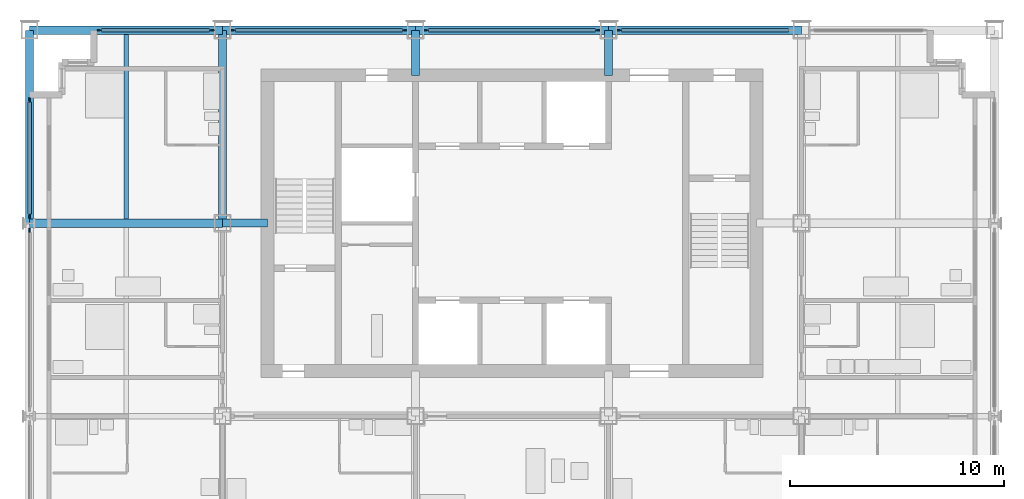
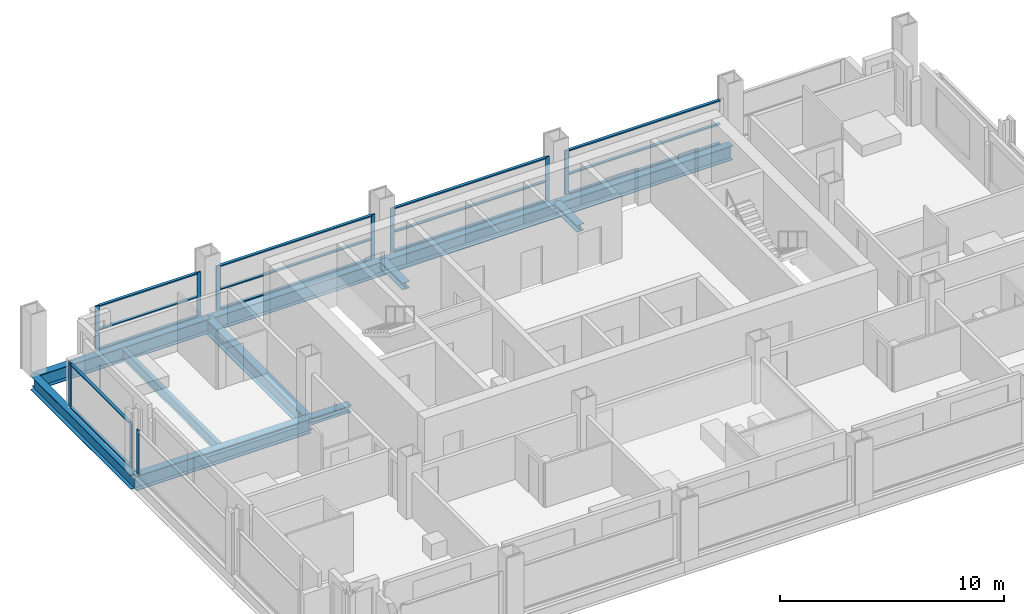
# One storey, part 4 of 13: 27 members, 8 beams, 6 elements without a shape of their own.
"""IFC4 building model written with IfcOpenShell, lengths in metres."""

from ifc_helpers import new_model, si_unit, direction, frame, origin, origin_2d, place, context, subcontext, project, spatial, rectangle, i_section, extrude, material, material_profile, profile_set, type_object, element, aggregate, save


model = new_model("IFC4")

# Units and contexts
model_context = context("Model", 3, precision=1e-05, world=origin(), true_north=direction((0.0, 1.0)))
body_context = subcontext(model_context, "Body", "Model", "MODEL_VIEW")
ifc_project = project(units=[si_unit("LENGTHUNIT", "METRE"), si_unit("AREAUNIT", "SQUARE_METRE"), si_unit("VOLUMEUNIT", "CUBIC_METRE"), si_unit("PLANEANGLEUNIT", "RADIAN"), si_unit("MASSUNIT", "GRAM", prefix="KILO")], contexts=[model_context])

# Site, building, storey
site_placement = place(None, origin())
site = spatial("IfcSite", under=ifc_project, at=site_placement, CompositionType="ELEMENT")
building_placement = place(site_placement, origin())
building = spatial("IfcBuilding", under=site, at=building_placement, Name="Loomwork Tower", CompositionType="ELEMENT")
storey_placement = place(building_placement, frame((0.0, 0.0, 177.39990234375)))
storey = spatial("IfcBuildingStorey", under=building, at=storey_placement, Name="L48", CompositionType="ELEMENT", Elevation=177.39990234375)

# Beams
ifc_material_1 = material(Name="Steel ASTM A992", Category="steel")
ifc_material_profile_1 = material_profile(ifc_material_1, i_section(OverallWidth=0.383544921875, OverallDepth=0.794921875, WebThickness=0.02099609375, FlangeThickness=0.0380859375, at=origin_2d()), Name="W30x235")
ifc_profile_set_1 = profile_set([ifc_material_profile_1], Name="Steel ASTM A992")
beam_type_1 = type_object("IfcBeamType", Name="CORE FLANK GIRDER W30x235", PredefinedType="BEAM", material=ifc_profile_set_1)
for number, where, z_axis, x_axis, name in (
    (1, (0.0, 18.0, -0.597412109375), (1.0, 0.0, 0.0), (0.0, 1.0, 0.0), "Core Flank Girder F/2-F/3 L48"),
    (2, (9.0, 18.0, -0.597412109375), (0.0, 1.0, 0.0), (-1.0, 0.0, 0.0), "Core Flank Girder F/3-G/3 L48"),
):
    element("IfcBeam", number, at=place(storey_placement, frame(where, z_axis=z_axis, x_axis=x_axis)), inside=storey, type_object=beam_type_1, Name=name, PredefinedType="BEAM", context=body_context, shape_type="SweptSolid", body=[
        extrude(i_section(OverallWidth=0.383544921875, OverallDepth=0.794921875, WebThickness=0.02099609375, FlangeThickness=0.0380859375, at=origin_2d()), origin(), (0.0, 0.0, 1.0), 9.0),
    ])

# Members
ifc_material_2 = material(Name="Steel ASTM A992", Category="steel")
ifc_material_profile_2 = material_profile(ifc_material_2, i_section(OverallWidth=0.373291015625, OverallDepth=0.373291015625, WebThickness=0.016357421875, FlangeThickness=0.026123046875, at=origin_2d()), Name="W14x132")
ifc_profile_set_2 = profile_set([ifc_material_profile_2], Name="Steel ASTM A992")
member_type_1 = type_object("IfcMemberType", Name="CORE LINK STRUT W14x132", PredefinedType="STRUT", material=ifc_profile_set_2)
for number, where, z_axis, x_axis, name in (
    (3, (27.0, 27.0, -0.386474609375), (0.0, -1.0, 0.0), (1.0, 0.0, 0.0), "Core link strut G/5-27.000,24.900 L48"),
    (4, (18.0, 27.0, -0.386474609375), (0.0, -1.0, 0.0), (1.0, 0.0, 0.0), "Core link strut G/4-18.000,24.900 L48"),
    (5, (9.0, 18.0, -0.386474609375), (1.0, 0.0, 0.0), (0.0, 1.0, 0.0), "Core link strut F/3-11.100,18.000 L48"),
):
    element("IfcMember", number, at=place(storey_placement, frame(where, z_axis=z_axis, x_axis=x_axis)), inside=storey, type_object=member_type_1, Name=name, PredefinedType="STRUT", context=body_context, shape_type="SweptSolid", body=[
        extrude(i_section(OverallWidth=0.373291015625, OverallDepth=0.373291015625, WebThickness=0.016357421875, FlangeThickness=0.026123046875, at=origin_2d()), origin(), (0.0, 0.0, 1.0), 2.10009765625),
    ])

# Beam
ifc_material_3 = material(Name="Steel ASTM A992", Category="steel")
ifc_material_profile_3 = material_profile(ifc_material_3, i_section(OverallWidth=0.2109375, OverallDepth=0.53857421875, WebThickness=0.011474609375, FlangeThickness=0.018798828125, at=origin_2d()), Name="W21x73")
ifc_profile_set_3 = profile_set([ifc_material_profile_3], Name="Steel ASTM A992")
beam_type_2 = type_object("IfcBeamType", Name="FLOOR JOIST W21x73", PredefinedType="JOIST", material=ifc_profile_set_3)
beam_placement = place(storey_placement, frame((4.5, 18.19091796875, -0.46923828125), z_axis=(0.0, 1.0, 0.0), x_axis=(-1.0, 0.0, 0.0)))
element("IfcBeam", 6, at=beam_placement, inside=storey, type_object=beam_type_2, Name="Floor Joist 4.500,18.000-4.500,27.000 L48", PredefinedType="JOIST", context=body_context, shape_type="SweptSolid", body=[
    extrude(i_section(OverallWidth=0.2109375, OverallDepth=0.53857421875, WebThickness=0.011474609375, FlangeThickness=0.018798828125, at=origin_2d()), origin(), (0.0, 0.0, 1.0), 8.619140625),
])

# Curtain wall, member
ifc_material_4 = material(Name="Aluminium curtain wall frame", Category="aluminium")
curtain_wall_type_1 = type_object("IfcCurtainWallType", Name="Outer skin glazing hotel", PredefinedType="NOTDEFINED", material=ifc_material_4)
curtain_wall_1_placement = place(storey_placement, origin())
curtain_wall_1 = element("IfcCurtainWall", 7, at=curtain_wall_1_placement, inside=storey, type_object=curtain_wall_type_1, Name="Outer skin glazing hotel cw/W-9", PredefinedType="NOTDEFINED")
ifc_material_5 = material(Name="Aluminium curtain wall frame", Category="aluminium")
ifc_material_profile_4 = material_profile(ifc_material_5, rectangle(XDim=0.06494140625, YDim=0.199951171875, at=origin_2d()), Name="AL 65x200")
ifc_profile_set_4 = profile_set([ifc_material_profile_4], Name="Aluminium curtain wall frame")
member_type_2 = type_object("IfcMemberType", Name="Outer skin glazing hotel mullion", PredefinedType="MULLION", material=ifc_profile_set_4)
member_1_placement = place(storey_placement, frame((0.0, 17.67529296875, 0.0), z_axis=(0.0, 0.0, 1.0), x_axis=(1.0, 0.0, 0.0)))
member_1 = element("IfcMember", 8, at=member_1_placement, type_object=member_type_2, Name="CW1 mullion 1", PredefinedType="MULLION", context=body_context, shape_type="SweptSolid", body=[
    extrude(rectangle(XDim=0.06494140625, YDim=0.199951171875, at=origin_2d()), origin(), (0.0, 0.0, 1.0), 2.42041015625),
])
aggregate(curtain_wall_1, [member_1])

# Curtain wall, members
curtain_wall_2_placement = place(storey_placement, origin())
curtain_wall_2 = element("IfcCurtainWall", 9, at=curtain_wall_2_placement, inside=storey, type_object=curtain_wall_type_1, Name="Outer skin glazing hotel cw/W-18", PredefinedType="NOTDEFINED")
member_2_placement = place(storey_placement, frame((0.0, 23.75, 0.0), z_axis=(0.0, 0.0, 1.0), x_axis=(1.0, 0.0, 0.0)))
member_2 = element("IfcMember", 10, at=member_2_placement, type_object=member_type_2, Name="CW1 mullion 1", PredefinedType="MULLION", context=body_context, shape_type="SweptSolid", body=[
    extrude(rectangle(XDim=0.06494140625, YDim=0.199951171875, at=origin_2d()), origin(), (0.0, 0.0, 1.0), 2.42041015625),
])
member_3_placement = place(storey_placement, frame((0.0, 18.32470703125, 0.0), z_axis=(0.0, 0.0, 1.0), x_axis=(1.0, 0.0, 0.0)))
member_3 = element("IfcMember", 11, at=member_3_placement, type_object=member_type_2, Name="CW1 mullion 2", PredefinedType="MULLION", context=body_context, shape_type="SweptSolid", body=[
    extrude(rectangle(XDim=0.06494140625, YDim=0.199951171875, at=origin_2d()), origin(), (0.0, 0.0, 1.0), 2.42041015625),
])
ifc_material_6 = material(Name="Aluminium curtain wall frame", Category="aluminium")
ifc_material_profile_5 = material_profile(ifc_material_6, rectangle(XDim=0.14990234375, YDim=0.06494140625, at=origin_2d()), Name="AL 65x150")
ifc_profile_set_5 = profile_set([ifc_material_profile_5], Name="Aluminium curtain wall frame")
member_type_3 = type_object("IfcMemberType", Name="Outer skin glazing hotel transom", PredefinedType="USERDEFINED", material=ifc_profile_set_5)
member_4_placement = place(storey_placement, frame((0.0, 23.64990234375, 0.03271484375), z_axis=(0.0, -1.0, 0.0), x_axis=(1.0, 0.0, 0.0)))
member_4 = element("IfcMember", 12, at=member_4_placement, type_object=member_type_3, Name="CW1 transom 1.1", ObjectType="TRANSOM", PredefinedType="USERDEFINED", context=body_context, shape_type="SweptSolid", body=[
    extrude(rectangle(XDim=0.14990234375, YDim=0.06494140625, at=origin_2d()), origin(), (0.0, 0.0, 1.0), 5.22509765625),
])
member_5_placement = place(storey_placement, frame((0.0, 23.64990234375, 2.3876953125), z_axis=(0.0, -1.0, 0.0), x_axis=(1.0, 0.0, 0.0)))
member_5 = element("IfcMember", 13, at=member_5_placement, type_object=member_type_3, Name="CW1 transom 1.2", ObjectType="TRANSOM", PredefinedType="USERDEFINED", context=body_context, shape_type="SweptSolid", body=[
    extrude(rectangle(XDim=0.14990234375, YDim=0.06494140625, at=origin_2d()), origin(), (0.0, 0.0, 1.0), 5.22509765625),
])
aggregate(curtain_wall_2, [member_2, member_3, member_4, member_5])

# Beams
ifc_material_7 = material(Name="Steel ASTM A992", Category="steel")
ifc_material_profile_6 = material_profile(ifc_material_7, i_section(OverallWidth=0.381103515625, OverallDepth=0.77978515625, WebThickness=0.01806640625, FlangeThickness=0.0302734375, at=origin_2d()), Name="W30x191")
ifc_profile_set_6 = profile_set([ifc_material_profile_6], Name="Steel ASTM A992")
beam_type_3 = type_object("IfcBeamType", Name="SPANDREL GIRDER W30x191", PredefinedType="SPANDREL", material=ifc_profile_set_6)
for number, where, z_axis, x_axis, name in (
    (14, (0.0, 27.0, -0.58984375), (1.0, 0.0, 0.0), (0.0, 1.0, 0.0), "Spandrel Girder G/2-G/3 L48"),
    (15, (9.0, 27.0, -0.58984375), (1.0, 0.0, 0.0), (0.0, 1.0, 0.0), "Spandrel Girder G/3-G/4 L48"),
    (16, (18.0, 27.0, -0.58984375), (1.0, 0.0, 0.0), (0.0, 1.0, 0.0), "Spandrel Girder G/4-G/5 L48"),
    (17, (27.0, 27.0, -0.58984375), (1.0, 0.0, 0.0), (0.0, 1.0, 0.0), "Spandrel Girder G/5-G/6 L48"),
    (18, (0.0, 18.0, -0.58984375), (0.0, 1.0, 0.0), (-1.0, 0.0, 0.0), "Spandrel Girder F/2-G/2 L48"),
):
    element("IfcBeam", number, at=place(storey_placement, frame(where, z_axis=z_axis, x_axis=x_axis)), inside=storey, type_object=beam_type_3, Name=name, PredefinedType="SPANDREL", context=body_context, shape_type="SweptSolid", body=[
        extrude(i_section(OverallWidth=0.381103515625, OverallDepth=0.77978515625, WebThickness=0.01806640625, FlangeThickness=0.0302734375, at=origin_2d()), origin(), (0.0, 0.0, 1.0), 9.0),
    ])

# Curtain wall, members
ifc_material_8 = material(Name="Aluminium curtain wall frame", Category="aluminium")
curtain_wall_type_2 = type_object("IfcCurtainWallType", Name="Single skin glazing corridor", PredefinedType="NOTDEFINED", material=ifc_material_8)
curtain_wall_3_placement = place(storey_placement, origin())
curtain_wall_3 = element("IfcCurtainWall", 19, at=curtain_wall_3_placement, inside=storey, type_object=curtain_wall_type_2, Name="Single skin glazing corridor cw/N-0", PredefinedType="NOTDEFINED")
ifc_material_9 = material(Name="Aluminium curtain wall frame", Category="aluminium")
ifc_material_profile_7 = material_profile(ifc_material_9, rectangle(XDim=0.06494140625, YDim=0.199951171875, at=origin_2d()), Name="AL 65x200")
ifc_profile_set_7 = profile_set([ifc_material_profile_7], Name="Aluminium curtain wall frame")
member_type_4 = type_object("IfcMemberType", Name="Single skin glazing corridor mullion", PredefinedType="MULLION", material=ifc_profile_set_7)
member_6_placement = place(storey_placement, frame((8.5, 27.0, 0.0), z_axis=(0.0, 0.0, 1.0), x_axis=(0.0, -1.0, 0.0)))
member_6 = element("IfcMember", 20, at=member_6_placement, type_object=member_type_4, Name="CW3 mullion 1", PredefinedType="MULLION", context=body_context, shape_type="SweptSolid", body=[
    extrude(rectangle(XDim=0.06494140625, YDim=0.199951171875, at=origin_2d()), origin(), (0.0, 0.0, 1.0), 2.42041015625),
])
member_7_placement = place(storey_placement, frame((3.25, 27.0, 0.0), z_axis=(0.0, 0.0, 1.0), x_axis=(0.0, -1.0, 0.0)))
member_7 = element("IfcMember", 21, at=member_7_placement, type_object=member_type_4, Name="CW3 mullion 2", PredefinedType="MULLION", context=body_context, shape_type="SweptSolid", body=[
    extrude(rectangle(XDim=0.06494140625, YDim=0.199951171875, at=origin_2d()), origin(), (0.0, 0.0, 1.0), 2.42041015625),
])

curtain_wall_4_placement = place(storey_placement, origin())
curtain_wall_4 = element("IfcCurtainWall", 22, at=curtain_wall_4_placement, inside=storey, type_object=curtain_wall_type_2, Name="Single skin glazing corridor cw/N-9", PredefinedType="NOTDEFINED")
member_8_placement = place(storey_placement, frame((17.5, 27.0, 0.0), z_axis=(0.0, 0.0, 1.0), x_axis=(0.0, -1.0, 0.0)))
member_8 = element("IfcMember", 23, at=member_8_placement, type_object=member_type_4, Name="CW3 mullion 1", PredefinedType="MULLION", context=body_context, shape_type="SweptSolid", body=[
    extrude(rectangle(XDim=0.06494140625, YDim=0.199951171875, at=origin_2d()), origin(), (0.0, 0.0, 1.0), 2.42041015625),
])
member_9_placement = place(storey_placement, frame((9.5, 27.0, 0.0), z_axis=(0.0, 0.0, 1.0), x_axis=(0.0, -1.0, 0.0)))
member_9 = element("IfcMember", 24, at=member_9_placement, type_object=member_type_4, Name="CW3 mullion 2", PredefinedType="MULLION", context=body_context, shape_type="SweptSolid", body=[
    extrude(rectangle(XDim=0.06494140625, YDim=0.199951171875, at=origin_2d()), origin(), (0.0, 0.0, 1.0), 2.42041015625),
])

curtain_wall_5_placement = place(storey_placement, origin())
curtain_wall_5 = element("IfcCurtainWall", 25, at=curtain_wall_5_placement, inside=storey, type_object=curtain_wall_type_2, Name="Single skin glazing corridor cw/N-18", PredefinedType="NOTDEFINED")
member_10_placement = place(storey_placement, frame((26.5, 27.0, 0.0), z_axis=(0.0, 0.0, 1.0), x_axis=(0.0, -1.0, 0.0)))
member_10 = element("IfcMember", 26, at=member_10_placement, type_object=member_type_4, Name="CW3 mullion 1", PredefinedType="MULLION", context=body_context, shape_type="SweptSolid", body=[
    extrude(rectangle(XDim=0.06494140625, YDim=0.199951171875, at=origin_2d()), origin(), (0.0, 0.0, 1.0), 2.42041015625),
])
member_11_placement = place(storey_placement, frame((18.5, 27.0, 0.0), z_axis=(0.0, 0.0, 1.0), x_axis=(0.0, -1.0, 0.0)))
member_11 = element("IfcMember", 27, at=member_11_placement, type_object=member_type_4, Name="CW3 mullion 2", PredefinedType="MULLION", context=body_context, shape_type="SweptSolid", body=[
    extrude(rectangle(XDim=0.06494140625, YDim=0.199951171875, at=origin_2d()), origin(), (0.0, 0.0, 1.0), 2.42041015625),
])

# Curtain wall, member
curtain_wall_6_placement = place(storey_placement, origin())
curtain_wall_6 = element("IfcCurtainWall", 28, at=curtain_wall_6_placement, inside=storey, type_object=curtain_wall_type_2, Name="Single skin glazing corridor cw/N-27", PredefinedType="NOTDEFINED")
member_12_placement = place(storey_placement, frame((27.5, 27.0, 0.0), z_axis=(0.0, 0.0, 1.0), x_axis=(0.0, -1.0, 0.0)))
member_12 = element("IfcMember", 29, at=member_12_placement, type_object=member_type_4, Name="CW3 mullion 2", PredefinedType="MULLION", context=body_context, shape_type="SweptSolid", body=[
    extrude(rectangle(XDim=0.06494140625, YDim=0.199951171875, at=origin_2d()), origin(), (0.0, 0.0, 1.0), 2.42041015625),
])

# Member
ifc_material_10 = material(Name="Aluminium curtain wall frame", Category="aluminium")
ifc_material_profile_8 = material_profile(ifc_material_10, rectangle(XDim=0.14990234375, YDim=0.06494140625, at=origin_2d()), Name="AL 65x150")
ifc_profile_set_8 = profile_set([ifc_material_profile_8], Name="Aluminium curtain wall frame")
member_type_5 = type_object("IfcMemberType", Name="Single skin glazing corridor transom", PredefinedType="USERDEFINED", material=ifc_profile_set_8)
member_13_placement = place(storey_placement, frame((8.39990234375, 27.0, 0.03271484375), z_axis=(-1.0, 0.0, 0.0), x_axis=(0.0, -1.0, 0.0)))
member_13 = element("IfcMember", 30, at=member_13_placement, type_object=member_type_5, Name="CW3 transom 1.1", ObjectType="TRANSOM", PredefinedType="USERDEFINED", context=body_context, shape_type="SweptSolid", body=[
    extrude(rectangle(XDim=0.14990234375, YDim=0.06494140625, at=origin_2d()), origin(), (0.0, 0.0, 1.0), 5.0498046875),
])

member_14_placement = place(storey_placement, frame((8.39990234375, 27.0, 1.10009765625), z_axis=(-1.0, 0.0, 0.0), x_axis=(0.0, -1.0, 0.0)))
member_14 = element("IfcMember", 31, at=member_14_placement, type_object=member_type_5, Name="CW3 transom 1.2", ObjectType="TRANSOM", PredefinedType="USERDEFINED", context=body_context, shape_type="SweptSolid", body=[
    extrude(rectangle(XDim=0.14990234375, YDim=0.06494140625, at=origin_2d()), origin(), (0.0, 0.0, 1.0), 5.0498046875),
])

member_15_placement = place(storey_placement, frame((8.39990234375, 27.0, 2.3876953125), z_axis=(-1.0, 0.0, 0.0), x_axis=(0.0, -1.0, 0.0)))
member_15 = element("IfcMember", 32, at=member_15_placement, type_object=member_type_5, Name="CW3 transom 1.3", ObjectType="TRANSOM", PredefinedType="USERDEFINED", context=body_context, shape_type="SweptSolid", body=[
    extrude(rectangle(XDim=0.14990234375, YDim=0.06494140625, at=origin_2d()), origin(), (0.0, 0.0, 1.0), 5.0498046875),
])

aggregate(curtain_wall_3, [member_6, member_7, member_13, member_14, member_15])

member_16_placement = place(storey_placement, frame((17.39990234375, 27.0, 0.03271484375), z_axis=(-1.0, 0.0, 0.0), x_axis=(0.0, -1.0, 0.0)))
member_16 = element("IfcMember", 33, at=member_16_placement, type_object=member_type_5, Name="CW3 transom 1.1", ObjectType="TRANSOM", PredefinedType="USERDEFINED", context=body_context, shape_type="SweptSolid", body=[
    extrude(rectangle(XDim=0.14990234375, YDim=0.06494140625, at=origin_2d()), origin(), (0.0, 0.0, 1.0), 7.7998046875),
])

member_17_placement = place(storey_placement, frame((17.39990234375, 27.0, 1.10009765625), z_axis=(-1.0, 0.0, 0.0), x_axis=(0.0, -1.0, 0.0)))
member_17 = element("IfcMember", 34, at=member_17_placement, type_object=member_type_5, Name="CW3 transom 1.2", ObjectType="TRANSOM", PredefinedType="USERDEFINED", context=body_context, shape_type="SweptSolid", body=[
    extrude(rectangle(XDim=0.14990234375, YDim=0.06494140625, at=origin_2d()), origin(), (0.0, 0.0, 1.0), 7.7998046875),
])

member_18_placement = place(storey_placement, frame((17.39990234375, 27.0, 2.3876953125), z_axis=(-1.0, 0.0, 0.0), x_axis=(0.0, -1.0, 0.0)))
member_18 = element("IfcMember", 35, at=member_18_placement, type_object=member_type_5, Name="CW3 transom 1.3", ObjectType="TRANSOM", PredefinedType="USERDEFINED", context=body_context, shape_type="SweptSolid", body=[
    extrude(rectangle(XDim=0.14990234375, YDim=0.06494140625, at=origin_2d()), origin(), (0.0, 0.0, 1.0), 7.7998046875),
])

aggregate(curtain_wall_4, [member_8, member_9, member_16, member_17, member_18])

member_19_placement = place(storey_placement, frame((26.39990234375, 27.0, 0.03271484375), z_axis=(-1.0, 0.0, 0.0), x_axis=(0.0, -1.0, 0.0)))
member_19 = element("IfcMember", 36, at=member_19_placement, type_object=member_type_5, Name="CW3 transom 1.1", ObjectType="TRANSOM", PredefinedType="USERDEFINED", context=body_context, shape_type="SweptSolid", body=[
    extrude(rectangle(XDim=0.14990234375, YDim=0.06494140625, at=origin_2d()), origin(), (0.0, 0.0, 1.0), 7.7998046875),
])

member_20_placement = place(storey_placement, frame((26.39990234375, 27.0, 1.10009765625), z_axis=(-1.0, 0.0, 0.0), x_axis=(0.0, -1.0, 0.0)))
member_20 = element("IfcMember", 37, at=member_20_placement, type_object=member_type_5, Name="CW3 transom 1.2", ObjectType="TRANSOM", PredefinedType="USERDEFINED", context=body_context, shape_type="SweptSolid", body=[
    extrude(rectangle(XDim=0.14990234375, YDim=0.06494140625, at=origin_2d()), origin(), (0.0, 0.0, 1.0), 7.7998046875),
])

member_21_placement = place(storey_placement, frame((26.39990234375, 27.0, 2.3876953125), z_axis=(-1.0, 0.0, 0.0), x_axis=(0.0, -1.0, 0.0)))
member_21 = element("IfcMember", 38, at=member_21_placement, type_object=member_type_5, Name="CW3 transom 1.3", ObjectType="TRANSOM", PredefinedType="USERDEFINED", context=body_context, shape_type="SweptSolid", body=[
    extrude(rectangle(XDim=0.14990234375, YDim=0.06494140625, at=origin_2d()), origin(), (0.0, 0.0, 1.0), 7.7998046875),
])

aggregate(curtain_wall_5, [member_10, member_11, member_19, member_20, member_21])

member_22_placement = place(storey_placement, frame((35.39990234375, 27.0, 0.03271484375), z_axis=(-1.0, 0.0, 0.0), x_axis=(0.0, -1.0, 0.0)))
member_22 = element("IfcMember", 39, at=member_22_placement, type_object=member_type_5, Name="CW3 transom 1.1", ObjectType="TRANSOM", PredefinedType="USERDEFINED", context=body_context, shape_type="SweptSolid", body=[
    extrude(rectangle(XDim=0.14990234375, YDim=0.06494140625, at=origin_2d()), origin(), (0.0, 0.0, 1.0), 7.7998046875),
])

member_23_placement = place(storey_placement, frame((35.39990234375, 27.0, 1.10009765625), z_axis=(-1.0, 0.0, 0.0), x_axis=(0.0, -1.0, 0.0)))
member_23 = element("IfcMember", 40, at=member_23_placement, type_object=member_type_5, Name="CW3 transom 1.2", ObjectType="TRANSOM", PredefinedType="USERDEFINED", context=body_context, shape_type="SweptSolid", body=[
    extrude(rectangle(XDim=0.14990234375, YDim=0.06494140625, at=origin_2d()), origin(), (0.0, 0.0, 1.0), 7.7998046875),
])

member_24_placement = place(storey_placement, frame((35.39990234375, 27.0, 2.3876953125), z_axis=(-1.0, 0.0, 0.0), x_axis=(0.0, -1.0, 0.0)))
member_24 = element("IfcMember", 41, at=member_24_placement, type_object=member_type_5, Name="CW3 transom 1.3", ObjectType="TRANSOM", PredefinedType="USERDEFINED", context=body_context, shape_type="SweptSolid", body=[
    extrude(rectangle(XDim=0.14990234375, YDim=0.06494140625, at=origin_2d()), origin(), (0.0, 0.0, 1.0), 7.7998046875),
])

aggregate(curtain_wall_6, [member_12, member_22, member_23, member_24])

save(model, "model.ifc")
